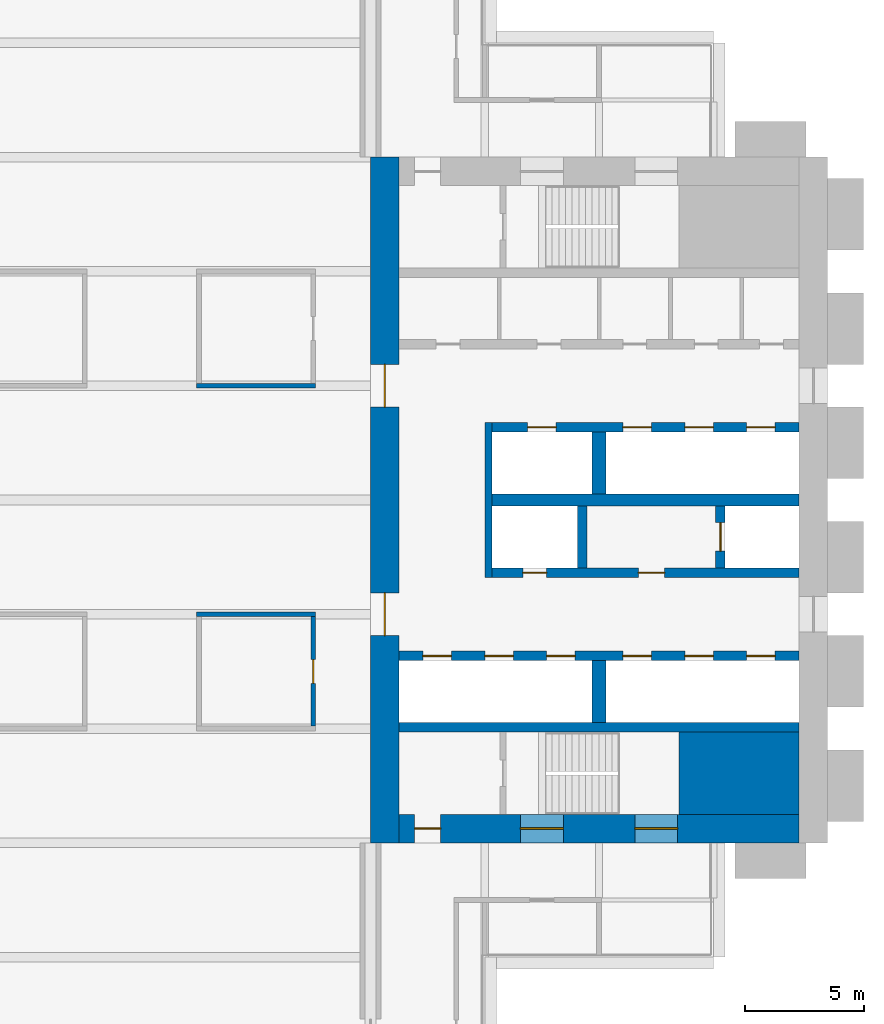
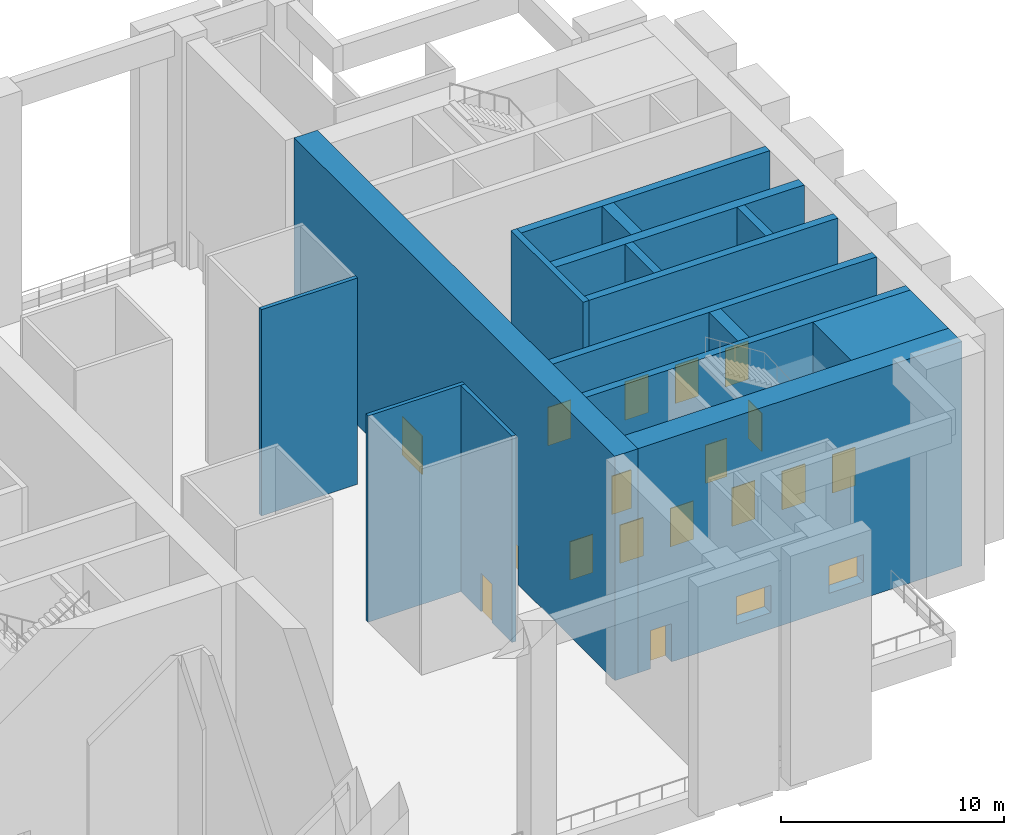
# One storey, part 4 of 10: 17 doors, 16 walls, 2 windows, 19 openings.
"""IFC4 building model written with IfcOpenShell, lengths in metres."""

from ifc_helpers import new_model, si_unit, direction, frame, frame_2d, origin, place, context, subcontext, project, spatial, rectangle, extrude, material, layer, layer_set, type_object, element, fill, save


model = new_model("IFC4")

# Units and contexts
model_context = context("Model", 3, precision=1e-05, world=origin(), true_north=direction((0.0, 1.0)))
body_context = subcontext(model_context, "Body", "Model", "MODEL_VIEW")
ifc_project = project(units=[si_unit("LENGTHUNIT", "METRE"), si_unit("AREAUNIT", "SQUARE_METRE"), si_unit("VOLUMEUNIT", "CUBIC_METRE"), si_unit("PLANEANGLEUNIT", "RADIAN"), si_unit("MASSUNIT", "GRAM", prefix="KILO")], contexts=[model_context])

# Site, building, storey
site_placement = place(None, origin())
site = spatial("IfcSite", under=ifc_project, at=site_placement, CompositionType="ELEMENT")
building_placement = place(site_placement, origin())
building = spatial("IfcBuilding", under=site, at=building_placement, Name="Baori Bourse Tower", CompositionType="ELEMENT")
storey_placement = place(building_placement, frame((0.0, 0.0, 91.5)))
storey = spatial("IfcBuildingStorey", under=building, at=storey_placement, Name="L20", CompositionType="ELEMENT", Elevation=91.5)

# Wall
ifc_material_1 = material(Name="Concrete f'c 70 MPa", Category="concrete")
wall_type_1 = type_object("IfcWallType", Name="Core corner block f'c 70", PredefinedType="SHEAR", material=ifc_material_1)
wall_1_placement = place(storey_placement, frame((51.35009765625, 12.52490234375, 0.0), z_axis=(0.0, 0.0, 1.0), x_axis=(1.0, 0.0, 0.0)))
element("IfcWall", 1, at=wall_1_placement, inside=storey, type_object=wall_type_1, Name="Core wall E04", PredefinedType="SHEAR", context=body_context, shape_type="SweptSolid", body=[
    extrude(rectangle(XDim=5.0498046875, YDim=3.449951171875, at=frame_2d((2.52490234375, 0.0))), origin(), (0.0, 0.0, 1.0), 12.300048828125),
])

# Wall, openings, door, windows
ifc_material_2 = material(Name="Concrete f'c 70 MPa", Category="concrete")
ifc_layer_1 = layer(ifc_material_2, 1.199951171875)
ifc_layer_set_1 = layer_set([ifc_layer_1], Name="Core wall 1200 f'c 70")
wall_type_2 = type_object("IfcWallType", Name="Core wall 1200 f'c 70", PredefinedType="SHEAR", material=ifc_layer_set_1)
wall_2_placement = place(storey_placement, frame((56.39990234375, 10.199951171875, 0.0), z_axis=(0.0, 0.0, 1.0), x_axis=(-1.0, 0.0, 0.0)))
wall_2 = element("IfcWall", 2, at=wall_2_placement, inside=storey, type_object=wall_type_2, Name="Core wall E02", PredefinedType="SHEAR", context=body_context, shape_type="SweptSolid", body=[
    extrude(rectangle(XDim=16.7998046875, YDim=1.199951171875, at=frame_2d((8.39990234375, 0.0))), origin(), (0.0, 0.0, 1.0), 12.300048828125),
])
opening_1_placement = place(wall_2_placement, frame((15.050048828125, 0.0, 0.0)))
opening_1 = element("IfcOpeningElement", 3, at=opening_1_placement, cuts=wall_2, Name="Opening L20-D202", PredefinedType="OPENING", context=body_context, shape_type="SweptSolid", body=[
    extrude(rectangle(XDim=1.10009765625, YDim=2.10009765625, at=frame_2d((0.550048828125, 1.050048828125))), frame((0.0, 0.60986328125, 0.0), z_axis=(0.0, -1.0, 0.0), x_axis=(1.0, 0.0, 0.0)), (0.0, 0.0, 1.0), 1.219970703125),
])
opening_2_placement = place(wall_2_placement, frame((5.10009765625, 0.0, 0.89990234375)))
opening_2 = element("IfcOpeningElement", 4, at=opening_2_placement, cuts=wall_2, Name="Opening L20-KW203", PredefinedType="OPENING", context=body_context, shape_type="SweptSolid", body=[
    extrude(rectangle(XDim=1.800048828125, YDim=1.5, at=frame_2d((0.89990234375, 0.75))), frame((0.0, 0.60986328125, 0.0), z_axis=(0.0, -1.0, 0.0), x_axis=(1.0, 0.0, 0.0)), (0.0, 0.0, 1.0), 1.219970703125),
])
opening_3_placement = place(wall_2_placement, frame((9.89990234375, 0.0, 0.89990234375)))
opening_3 = element("IfcOpeningElement", 5, at=opening_3_placement, cuts=wall_2, Name="Opening L20-KW204", PredefinedType="OPENING", context=body_context, shape_type="SweptSolid", body=[
    extrude(rectangle(XDim=1.800048828125, YDim=1.5, at=frame_2d((0.89990234375, 0.75))), frame((0.0, 0.60986328125, 0.0), z_axis=(0.0, -1.0, 0.0), x_axis=(1.0, 0.0, 0.0)), (0.0, 0.0, 1.0), 1.219970703125),
])
ifc_material_3 = material(Name="Painted steel door", Category="steel")
door_type_1 = type_object("IfcDoorType", Name="Stair door 1100", OperationType="SINGLE_SWING_LEFT", PredefinedType="DOOR", material=ifc_material_3)
door_1_placement = place(opening_1_placement, origin())
door_1 = element("IfcDoor", 6, at=door_1_placement, inside=storey, type_object=door_type_1, Name="Stair vestibule door A E L20", OperationType="SINGLE_SWING_LEFT", OverallHeight=2.10009765625, OverallWidth=1.10009765625, PredefinedType="DOOR", context=body_context, shape_type="SweptSolid", body=[
    extrude(rectangle(XDim=1.10009765625, YDim=2.10009765625, at=frame_2d((0.550048828125, 1.050048828125))), frame((0.0, 0.02490234375, 0.0), z_axis=(0.0, -1.0, 0.0), x_axis=(1.0, 0.0, 0.0)), (0.0, 0.0, 1.0), 0.050048828125),
])
fill(opening_1, door_1)
ifc_material_4 = material(Name="Pale anodised aluminium", Category="aluminium")
window_type = type_object("IfcWindowType", Name="Stair window 1800 x 1500", PartitioningType="SINGLE_PANEL", PredefinedType="WINDOW", material=ifc_material_4)
window_1_placement = place(opening_2_placement, origin())
window_1 = element("IfcWindow", 7, at=window_1_placement, inside=storey, type_object=window_type, Name="Stair window E L20 3", OverallHeight=1.5, OverallWidth=1.800048828125, PartitioningType="SINGLE_PANEL", PredefinedType="WINDOW", context=body_context, shape_type="SweptSolid", body=[
    extrude(rectangle(XDim=1.800048828125, YDim=1.5, at=frame_2d((0.89990234375, 0.75))), frame((0.0, 0.030029296875, 0.0), z_axis=(0.0, -1.0, 0.0), x_axis=(1.0, 0.0, 0.0)), (0.0, 0.0, 1.0), 0.06005859375),
])
fill(opening_2, window_1)
window_2_placement = place(opening_3_placement, origin())
window_2 = element("IfcWindow", 8, at=window_2_placement, inside=storey, type_object=window_type, Name="Stair window E L20 4", OverallHeight=1.5, OverallWidth=1.800048828125, PartitioningType="SINGLE_PANEL", PredefinedType="WINDOW", context=body_context, shape_type="SweptSolid", body=[
    extrude(rectangle(XDim=1.800048828125, YDim=1.5, at=frame_2d((0.89990234375, 0.75))), frame((0.0, 0.030029296875, 0.0), z_axis=(0.0, -1.0, 0.0), x_axis=(1.0, 0.0, 0.0)), (0.0, 0.0, 1.0), 0.06005859375),
])
fill(opening_3, window_2)

# Wall, openings, doors
wall_3_placement = place(storey_placement, frame((39.0, 9.60009765625, 0.0), z_axis=(0.0, 0.0, 1.0), x_axis=(0.0, 1.0, 0.0)))
wall_3 = element("IfcWall", 9, at=wall_3_placement, inside=storey, type_object=wall_type_2, Name="Core wall E03", PredefinedType="SHEAR", context=body_context, shape_type="SweptSolid", body=[
    extrude(rectangle(XDim=28.7998046875, YDim=1.199951171875, at=frame_2d((14.39990234375, 0.0))), origin(), (0.0, 0.0, 1.0), 12.300048828125),
])
opening_4_placement = place(wall_3_placement, frame((8.699951171875, 0.0, 0.0)))
opening_4 = element("IfcOpeningElement", 10, at=opening_4_placement, cuts=wall_3, Name="Opening L20-D207", PredefinedType="OPENING", context=body_context, shape_type="SweptSolid", body=[
    extrude(rectangle(XDim=1.800048828125, YDim=2.10009765625, at=frame_2d((0.89990234375, 1.050048828125))), frame((0.0, 0.60986328125, 0.0), z_axis=(0.0, -1.0, 0.0), x_axis=(1.0, 0.0, 0.0)), (0.0, 0.0, 1.0), 1.219970703125),
])
opening_5_placement = place(wall_3_placement, frame((18.300048828125, 0.0, 0.0)))
opening_5 = element("IfcOpeningElement", 11, at=opening_5_placement, cuts=wall_3, Name="Opening L20-D208", PredefinedType="OPENING", context=body_context, shape_type="SweptSolid", body=[
    extrude(rectangle(XDim=1.800048828125, YDim=2.10009765625, at=frame_2d((0.89990234375, 1.050048828125))), frame((0.0, 0.60986328125, 0.0), z_axis=(0.0, -1.0, 0.0), x_axis=(1.0, 0.0, 0.0)), (0.0, 0.0, 1.0), 1.219970703125),
])
ifc_material_5 = material(Name="Painted steel door", Category="steel")
door_type_2 = type_object("IfcDoorType", Name="Core lobby door 1800", OperationType="DOUBLE_DOOR_SINGLE_SWING", PredefinedType="DOOR", material=ifc_material_5)
door_2_placement = place(opening_4_placement, origin())
door_2 = element("IfcDoor", 12, at=door_2_placement, inside=storey, type_object=door_type_2, Name="Lobby door E L20", OperationType="DOUBLE_DOOR_SINGLE_SWING", OverallHeight=2.10009765625, OverallWidth=1.800048828125, PredefinedType="DOOR", context=body_context, shape_type="SweptSolid", body=[
    extrude(rectangle(XDim=1.800048828125, YDim=2.10009765625, at=frame_2d((0.89990234375, 1.050048828125))), frame((0.0, 0.02490234375, 0.0), z_axis=(0.0, -1.0, 0.0), x_axis=(1.0, 0.0, 0.0)), (0.0, 0.0, 1.0), 0.050048828125),
])
fill(opening_4, door_2)
door_3_placement = place(opening_5_placement, origin())
door_3 = element("IfcDoor", 13, at=door_3_placement, inside=storey, type_object=door_type_2, Name="Lobby door E L20", OperationType="DOUBLE_DOOR_SINGLE_SWING", OverallHeight=2.10009765625, OverallWidth=1.800048828125, PredefinedType="DOOR", context=body_context, shape_type="SweptSolid", body=[
    extrude(rectangle(XDim=1.800048828125, YDim=2.10009765625, at=frame_2d((0.89990234375, 1.050048828125))), frame((0.0, 0.02490234375, 0.0), z_axis=(0.0, -1.0, 0.0), x_axis=(1.0, 0.0, 0.0)), (0.0, 0.0, 1.0), 0.050048828125),
])
fill(opening_5, door_3)

# Walls
ifc_material_6 = material(Name="Gypsum board partition")
ifc_layer_2 = layer(ifc_material_6, 0.199951171875)
ifc_layer_set_2 = layer_set([ifc_layer_2], Name="Plant room wall 200")
wall_type_3 = type_object("IfcWallType", Name="Plant room wall 200", PredefinedType="PARTITIONING", material=ifc_layer_set_2)
for number, where, z_axis, x_axis, name in (
    (14, (31.10009765625, 19.199951171875, 0.0), (0.0, 0.0, 1.0), (1.0, 0.0, 0.0), "Partition"),
    (15, (31.10009765625, 28.800048828125, 0.0), (0.0, 0.0, 1.0), (1.0, 0.0, 0.0), "Partition"),
):
    element("IfcWall", number, at=place(storey_placement, frame(where, z_axis=z_axis, x_axis=x_axis)), inside=storey, type_object=wall_type_3, Name=name, PredefinedType="PARTITIONING", context=body_context, shape_type="SweptSolid", body=[
        extrude(rectangle(XDim=5.0, YDim=0.199951171875, at=frame_2d((2.5, 0.0))), origin(), (0.0, 0.0, 1.0), 11.309326171875),
    ])

# Wall, opening, door
wall_4_placement = place(storey_placement, frame((36.0, 14.5, 0.0), z_axis=(0.0, 0.0, 1.0), x_axis=(0.0, 1.0, 0.0)))
wall_4 = element("IfcWall", 16, at=wall_4_placement, inside=storey, type_object=wall_type_3, Name="Partition", PredefinedType="PARTITIONING", context=body_context, shape_type="SweptSolid", body=[
    extrude(rectangle(XDim=4.60009765625, YDim=0.199951171875, at=frame_2d((2.300048828125, 0.0))), origin(), (0.0, 0.0, 1.0), 11.309326171875),
])
opening_6_placement = place(wall_4_placement, frame((1.800048828125, 0.0, 0.0)))
opening_6 = element("IfcOpeningElement", 17, at=opening_6_placement, cuts=wall_4, Name="Opening L20-D09", PredefinedType="OPENING", context=body_context, shape_type="SweptSolid", body=[
    extrude(rectangle(XDim=1.0, YDim=2.10009765625, at=frame_2d((0.5, 1.050048828125))), frame((0.0, 0.10986328125, 0.0), z_axis=(0.0, -1.0, 0.0), x_axis=(1.0, 0.0, 0.0)), (0.0, 0.0, 1.0), 0.219970703125),
])
ifc_material_7 = material(Name="Timber door leaf", Category="wood")
door_type_3 = type_object("IfcDoorType", Name="Door 1000 x 2100", OperationType="SINGLE_SWING_LEFT", PredefinedType="DOOR", material=ifc_material_7)
door_4_placement = place(opening_6_placement, origin())
door_4 = element("IfcDoor", 18, at=door_4_placement, inside=storey, type_object=door_type_3, Name="Door", OperationType="SINGLE_SWING_RIGHT", OverallHeight=2.10009765625, OverallWidth=1.0, PredefinedType="DOOR", context=body_context, shape_type="SweptSolid", body=[
    extrude(rectangle(XDim=1.0, YDim=2.10009765625, at=frame_2d((0.5, 1.050048828125))), frame((0.0, 0.02490234375, 0.0), z_axis=(0.0, -1.0, 0.0), x_axis=(1.0, 0.0, 0.0)), (0.0, 0.0, 1.0), 0.050048828125),
])
fill(opening_6, door_4)

# Walls
ifc_material_8 = material(Name="Concrete f'c 70 MPa", Category="concrete")
ifc_layer_3 = layer(ifc_material_8, 0.300048828125)
ifc_layer_set_3 = layer_set([ifc_layer_3], Name="Shaft wall 300 f'c 70")
wall_type_4 = type_object("IfcWallType", Name="Shaft wall 300 f'c 70", PredefinedType="SHEAR", material=ifc_layer_set_3)
wall_5_placement = place(storey_placement, frame((43.35009765625, 20.75, 0.0), z_axis=(0.0, 0.0, 1.0), x_axis=(0.0, 1.0, 0.0)))
element("IfcWall", 19, at=wall_5_placement, inside=storey, type_object=wall_type_4, Name="Core wall E10", PredefinedType="SHEAR", context=body_context, shape_type="SweptSolid", body=[
    extrude(rectangle(XDim=6.5, YDim=0.300048828125, at=frame_2d((3.25, 0.0))), origin(), (0.0, 0.0, 1.0), 12.300048828125),
])
ifc_material_9 = material(Name="Concrete f'c 70 MPa", Category="concrete")
ifc_layer_4 = layer(ifc_material_9, 0.39990234375)
ifc_layer_set_4 = layer_set([ifc_layer_4], Name="Shaft wall 400 f'c 70")
wall_type_5 = type_object("IfcWallType", Name="Shaft wall 400 f'c 70", PredefinedType="SHEAR", material=ifc_layer_set_4)
wall_6_placement = place(storey_placement, frame((39.60009765625, 14.449951171875, 0.0), z_axis=(0.0, 0.0, 1.0), x_axis=(1.0, 0.0, 0.0)))
element("IfcWall", 20, at=wall_6_placement, inside=storey, type_object=wall_type_5, Name="Core wall E06", PredefinedType="SHEAR", context=body_context, shape_type="SweptSolid", body=[
    extrude(rectangle(XDim=16.7998046875, YDim=0.39990234375, at=frame_2d((8.39990234375, 0.0))), origin(), (0.0, 0.0, 1.0), 12.300048828125),
])

# Wall, openings, doors
wall_7_placement = place(storey_placement, frame((39.60009765625, 17.449951171875, 0.0), z_axis=(0.0, 0.0, 1.0), x_axis=(1.0, 0.0, 0.0)))
wall_7 = element("IfcWall", 21, at=wall_7_placement, inside=storey, type_object=wall_type_5, Name="Core wall E08", PredefinedType="SHEAR", context=body_context, shape_type="SweptSolid", body=[
    extrude(rectangle(XDim=16.7998046875, YDim=0.39990234375, at=frame_2d((8.39990234375, 0.0))), origin(), (0.0, 0.0, 1.0), 12.300048828125),
])
opening_7_placement = place(wall_7_placement, frame((14.60009765625, 0.0, 0.0)))
opening_7 = element("IfcOpeningElement", 22, at=opening_7_placement, cuts=wall_7, Name="Opening L20-D214", PredefinedType="OPENING", context=body_context, shape_type="SweptSolid", body=[
    extrude(rectangle(XDim=1.199951171875, YDim=2.10009765625, at=frame_2d((0.60009765625, 1.050048828125))), frame((0.0, 0.2099609375, 0.0), z_axis=(0.0, -1.0, 0.0), x_axis=(1.0, 0.0, 0.0)), (0.0, 0.0, 1.0), 0.419921875),
])
opening_8_placement = place(wall_7_placement, frame((12.0, 0.0, 0.0)))
opening_8 = element("IfcOpeningElement", 23, at=opening_8_placement, cuts=wall_7, Name="Opening L20-D215", PredefinedType="OPENING", context=body_context, shape_type="SweptSolid", body=[
    extrude(rectangle(XDim=1.199951171875, YDim=2.10009765625, at=frame_2d((0.60009765625, 1.050048828125))), frame((0.0, 0.2099609375, 0.0), z_axis=(0.0, -1.0, 0.0), x_axis=(1.0, 0.0, 0.0)), (0.0, 0.0, 1.0), 0.419921875),
])
opening_9_placement = place(wall_7_placement, frame((9.39990234375, 0.0, 0.0)))
opening_9 = element("IfcOpeningElement", 24, at=opening_9_placement, cuts=wall_7, Name="Opening L20-D216", PredefinedType="OPENING", context=body_context, shape_type="SweptSolid", body=[
    extrude(rectangle(XDim=1.199951171875, YDim=2.10009765625, at=frame_2d((0.60009765625, 1.050048828125))), frame((0.0, 0.2099609375, 0.0), z_axis=(0.0, -1.0, 0.0), x_axis=(1.0, 0.0, 0.0)), (0.0, 0.0, 1.0), 0.419921875),
])
opening_10_placement = place(wall_7_placement, frame((6.199951171875, 0.0, 0.0)))
opening_10 = element("IfcOpeningElement", 25, at=opening_10_placement, cuts=wall_7, Name="Opening L20-D217", PredefinedType="OPENING", context=body_context, shape_type="SweptSolid", body=[
    extrude(rectangle(XDim=1.199951171875, YDim=2.10009765625, at=frame_2d((0.60009765625, 1.050048828125))), frame((0.0, 0.2099609375, 0.0), z_axis=(0.0, -1.0, 0.0), x_axis=(1.0, 0.0, 0.0)), (0.0, 0.0, 1.0), 0.419921875),
])
opening_11_placement = place(wall_7_placement, frame((3.60009765625, 0.0, 0.0)))
opening_11 = element("IfcOpeningElement", 26, at=opening_11_placement, cuts=wall_7, Name="Opening L20-D218", PredefinedType="OPENING", context=body_context, shape_type="SweptSolid", body=[
    extrude(rectangle(XDim=1.199951171875, YDim=2.10009765625, at=frame_2d((0.60009765625, 1.050048828125))), frame((0.0, 0.2099609375, 0.0), z_axis=(0.0, -1.0, 0.0), x_axis=(1.0, 0.0, 0.0)), (0.0, 0.0, 1.0), 0.419921875),
])
opening_12_placement = place(wall_7_placement, frame((1.0, 0.0, 0.0)))
opening_12 = element("IfcOpeningElement", 27, at=opening_12_placement, cuts=wall_7, Name="Opening L20-D219", PredefinedType="OPENING", context=body_context, shape_type="SweptSolid", body=[
    extrude(rectangle(XDim=1.199951171875, YDim=2.10009765625, at=frame_2d((0.60009765625, 1.050048828125))), frame((0.0, 0.2099609375, 0.0), z_axis=(0.0, -1.0, 0.0), x_axis=(1.0, 0.0, 0.0)), (0.0, 0.0, 1.0), 0.419921875),
])
ifc_material_10 = material(Name="Stainless steel door", Category="steel")
door_type_4 = type_object("IfcDoorType", Name="Lift landing door", OperationType="DOUBLE_DOOR_SLIDING", PredefinedType="DOOR", material=ifc_material_10)
door_5_placement = place(opening_7_placement, origin())
door_5 = element("IfcDoor", 28, at=door_5_placement, inside=storey, type_object=door_type_4, Name="Lift landing door LR1 E L20", OperationType="DOUBLE_DOOR_SLIDING", OverallHeight=2.10009765625, OverallWidth=1.199951171875, PredefinedType="DOOR", context=body_context, shape_type="SweptSolid", body=[
    extrude(rectangle(XDim=1.199951171875, YDim=2.10009765625, at=frame_2d((0.60009765625, 1.050048828125))), frame((0.0, 0.02490234375, 0.0), z_axis=(0.0, -1.0, 0.0), x_axis=(1.0, 0.0, 0.0)), (0.0, 0.0, 1.0), 0.050048828125),
])
fill(opening_7, door_5)
door_6_placement = place(opening_8_placement, origin())
door_6 = element("IfcDoor", 29, at=door_6_placement, inside=storey, type_object=door_type_4, Name="Lift landing door LR2 E L20", OperationType="DOUBLE_DOOR_SLIDING", OverallHeight=2.10009765625, OverallWidth=1.199951171875, PredefinedType="DOOR", context=body_context, shape_type="SweptSolid", body=[
    extrude(rectangle(XDim=1.199951171875, YDim=2.10009765625, at=frame_2d((0.60009765625, 1.050048828125))), frame((0.0, 0.02490234375, 0.0), z_axis=(0.0, -1.0, 0.0), x_axis=(1.0, 0.0, 0.0)), (0.0, 0.0, 1.0), 0.050048828125),
])
fill(opening_8, door_6)
door_7_placement = place(opening_9_placement, origin())
door_7 = element("IfcDoor", 30, at=door_7_placement, inside=storey, type_object=door_type_4, Name="Lift landing door LR3 E L20", OperationType="DOUBLE_DOOR_SLIDING", OverallHeight=2.10009765625, OverallWidth=1.199951171875, PredefinedType="DOOR", context=body_context, shape_type="SweptSolid", body=[
    extrude(rectangle(XDim=1.199951171875, YDim=2.10009765625, at=frame_2d((0.60009765625, 1.050048828125))), frame((0.0, 0.02490234375, 0.0), z_axis=(0.0, -1.0, 0.0), x_axis=(1.0, 0.0, 0.0)), (0.0, 0.0, 1.0), 0.050048828125),
])
fill(opening_9, door_7)
door_8_placement = place(opening_10_placement, origin())
door_8 = element("IfcDoor", 31, at=door_8_placement, inside=storey, type_object=door_type_4, Name="Lift landing door LR4 E L20", OperationType="DOUBLE_DOOR_SLIDING", OverallHeight=2.10009765625, OverallWidth=1.199951171875, PredefinedType="DOOR", context=body_context, shape_type="SweptSolid", body=[
    extrude(rectangle(XDim=1.199951171875, YDim=2.10009765625, at=frame_2d((0.60009765625, 1.050048828125))), frame((0.0, 0.02490234375, 0.0), z_axis=(0.0, -1.0, 0.0), x_axis=(1.0, 0.0, 0.0)), (0.0, 0.0, 1.0), 0.050048828125),
])
fill(opening_10, door_8)
door_9_placement = place(opening_11_placement, origin())
door_9 = element("IfcDoor", 32, at=door_9_placement, inside=storey, type_object=door_type_4, Name="Lift landing door LR5 E L20", OperationType="DOUBLE_DOOR_SLIDING", OverallHeight=2.10009765625, OverallWidth=1.199951171875, PredefinedType="DOOR", context=body_context, shape_type="SweptSolid", body=[
    extrude(rectangle(XDim=1.199951171875, YDim=2.10009765625, at=frame_2d((0.60009765625, 1.050048828125))), frame((0.0, 0.02490234375, 0.0), z_axis=(0.0, -1.0, 0.0), x_axis=(1.0, 0.0, 0.0)), (0.0, 0.0, 1.0), 0.050048828125),
])
fill(opening_11, door_9)
door_10_placement = place(opening_12_placement, origin())
door_10 = element("IfcDoor", 33, at=door_10_placement, inside=storey, type_object=door_type_4, Name="Lift landing door LR6 E L20", OperationType="DOUBLE_DOOR_SLIDING", OverallHeight=2.10009765625, OverallWidth=1.199951171875, PredefinedType="DOOR", context=body_context, shape_type="SweptSolid", body=[
    extrude(rectangle(XDim=1.199951171875, YDim=2.10009765625, at=frame_2d((0.60009765625, 1.050048828125))), frame((0.0, 0.02490234375, 0.0), z_axis=(0.0, -1.0, 0.0), x_axis=(1.0, 0.0, 0.0)), (0.0, 0.0, 1.0), 0.050048828125),
])
fill(opening_12, door_10)

wall_8_placement = place(storey_placement, frame((43.5, 20.949951171875, 0.0), z_axis=(0.0, 0.0, 1.0), x_axis=(1.0, 0.0, 0.0)))
wall_8 = element("IfcWall", 34, at=wall_8_placement, inside=storey, type_object=wall_type_5, Name="Core wall E09", PredefinedType="SHEAR", context=body_context, shape_type="SweptSolid", body=[
    extrude(rectangle(XDim=12.89990234375, YDim=0.39990234375, at=frame_2d((6.449951171875, 0.0))), origin(), (0.0, 0.0, 1.0), 12.300048828125),
])
opening_13_placement = place(wall_8_placement, frame((6.14990234375, 0.0, 0.0)))
opening_13 = element("IfcOpeningElement", 35, at=opening_13_placement, cuts=wall_8, Name="Opening L20-D205", PredefinedType="OPENING", context=body_context, shape_type="SweptSolid", body=[
    extrude(rectangle(XDim=1.10009765625, YDim=2.10009765625, at=frame_2d((0.550048828125, 1.050048828125))), frame((0.0, 0.2099609375, 0.0), z_axis=(0.0, -1.0, 0.0), x_axis=(1.0, 0.0, 0.0)), (0.0, 0.0, 1.0), 0.419921875),
])
opening_14_placement = place(wall_8_placement, frame((1.300048828125, 0.0, 0.0)))
opening_14 = element("IfcOpeningElement", 36, at=opening_14_placement, cuts=wall_8, Name="Opening L20-D206", PredefinedType="OPENING", context=body_context, shape_type="SweptSolid", body=[
    extrude(rectangle(XDim=1.0, YDim=2.10009765625, at=frame_2d((0.5, 1.050048828125))), frame((0.0, 0.2099609375, 0.0), z_axis=(0.0, -1.0, 0.0), x_axis=(1.0, 0.0, 0.0)), (0.0, 0.0, 1.0), 0.419921875),
])
ifc_material_11 = material(Name="Painted steel door", Category="steel")
door_type_5 = type_object("IfcDoorType", Name="Lobby door 1100", OperationType="SINGLE_SWING_LEFT", PredefinedType="DOOR", material=ifc_material_11)
door_11_placement = place(opening_13_placement, origin())
door_11 = element("IfcDoor", 37, at=door_11_placement, inside=storey, type_object=door_type_5, Name="Firefighting lobby door E L20", OperationType="SINGLE_SWING_LEFT", OverallHeight=2.10009765625, OverallWidth=1.10009765625, PredefinedType="DOOR", context=body_context, shape_type="SweptSolid", body=[
    extrude(rectangle(XDim=1.10009765625, YDim=2.10009765625, at=frame_2d((0.550048828125, 1.050048828125))), frame((0.0, 0.02490234375, 0.0), z_axis=(0.0, -1.0, 0.0), x_axis=(1.0, 0.0, 0.0)), (0.0, 0.0, 1.0), 0.050048828125),
])
fill(opening_13, door_11)
ifc_material_12 = material(Name="Painted steel door", Category="steel")
door_type_6 = type_object("IfcDoorType", Name="Shaft door 1000", OperationType="SINGLE_SWING_LEFT", PredefinedType="DOOR", material=ifc_material_12)
door_12_placement = place(opening_14_placement, origin())
door_12 = element("IfcDoor", 38, at=door_12_placement, inside=storey, type_object=door_type_6, Name="Riser room door E L20", OperationType="SINGLE_SWING_LEFT", OverallHeight=2.10009765625, OverallWidth=1.0, PredefinedType="DOOR", context=body_context, shape_type="SweptSolid", body=[
    extrude(rectangle(XDim=1.0, YDim=2.10009765625, at=frame_2d((0.5, 1.050048828125))), frame((0.0, 0.02490234375, 0.0), z_axis=(0.0, -1.0, 0.0), x_axis=(1.0, 0.0, 0.0)), (0.0, 0.0, 1.0), 0.050048828125),
])
fill(opening_14, door_12)

# Wall, opening, door
wall_9_placement = place(storey_placement, frame((53.10009765625, 21.14990234375, 0.0), z_axis=(0.0, 0.0, 1.0), x_axis=(0.0, 1.0, 0.0)))
wall_9 = element("IfcWall", 39, at=wall_9_placement, inside=storey, type_object=wall_type_5, Name="Core wall E11", PredefinedType="SHEAR", context=body_context, shape_type="SweptSolid", body=[
    extrude(rectangle(XDim=2.60009765625, YDim=0.39990234375, at=frame_2d((1.300048828125, 0.0))), origin(), (0.0, 0.0, 1.0), 12.300048828125),
])
opening_15_placement = place(wall_9_placement, frame((0.699951171875, 0.0, 0.0)))
opening_15 = element("IfcOpeningElement", 40, at=opening_15_placement, cuts=wall_9, Name="Opening L20-D224", PredefinedType="OPENING", context=body_context, shape_type="SweptSolid", body=[
    extrude(rectangle(XDim=1.199951171875, YDim=2.10009765625, at=frame_2d((0.60009765625, 1.050048828125))), frame((0.0, 0.2099609375, 0.0), z_axis=(0.0, -1.0, 0.0), x_axis=(1.0, 0.0, 0.0)), (0.0, 0.0, 1.0), 0.419921875),
])
door_13_placement = place(opening_15_placement, origin())
door_13 = element("IfcDoor", 41, at=door_13_placement, inside=storey, type_object=door_type_4, Name="Lift landing door FF2 E L20", OperationType="DOUBLE_DOOR_SLIDING", OverallHeight=2.10009765625, OverallWidth=1.199951171875, PredefinedType="DOOR", context=body_context, shape_type="SweptSolid", body=[
    extrude(rectangle(XDim=1.199951171875, YDim=2.10009765625, at=frame_2d((0.60009765625, 1.050048828125))), frame((0.0, 0.02490234375, 0.0), z_axis=(0.0, -1.0, 0.0), x_axis=(1.0, 0.0, 0.0)), (0.0, 0.0, 1.0), 0.050048828125),
])
fill(opening_15, door_13)

# Wall
wall_10_placement = place(storey_placement, frame((47.300048828125, 21.14990234375, 0.0), z_axis=(0.0, 0.0, 1.0), x_axis=(0.0, 1.0, 0.0)))
element("IfcWall", 42, at=wall_10_placement, inside=storey, type_object=wall_type_5, Name="Core wall E12", PredefinedType="SHEAR", context=body_context, shape_type="SweptSolid", body=[
    extrude(rectangle(XDim=2.60009765625, YDim=0.39990234375, at=frame_2d((1.300048828125, 0.0))), origin(), (0.0, 0.0, 1.0), 12.300048828125),
])

# Wall, openings, doors
wall_11_placement = place(storey_placement, frame((43.5, 27.050048828125, 0.0), z_axis=(0.0, 0.0, 1.0), x_axis=(1.0, 0.0, 0.0)))
wall_11 = element("IfcWall", 43, at=wall_11_placement, inside=storey, type_object=wall_type_5, Name="Core wall E15", PredefinedType="SHEAR", context=body_context, shape_type="SweptSolid", body=[
    extrude(rectangle(XDim=12.89990234375, YDim=0.39990234375, at=frame_2d((6.449951171875, 0.0))), origin(), (0.0, 0.0, 1.0), 12.300048828125),
])
opening_16_placement = place(wall_11_placement, frame((10.699951171875, 0.0, 0.0)))
opening_16 = element("IfcOpeningElement", 44, at=opening_16_placement, cuts=wall_11, Name="Opening L20-D220", PredefinedType="OPENING", context=body_context, shape_type="SweptSolid", body=[
    extrude(rectangle(XDim=1.199951171875, YDim=2.10009765625, at=frame_2d((0.60009765625, 1.050048828125))), frame((0.0, 0.2099609375, 0.0), z_axis=(0.0, -1.0, 0.0), x_axis=(1.0, 0.0, 0.0)), (0.0, 0.0, 1.0), 0.419921875),
])
opening_17_placement = place(wall_11_placement, frame((8.10009765625, 0.0, 0.0)))
opening_17 = element("IfcOpeningElement", 45, at=opening_17_placement, cuts=wall_11, Name="Opening L20-D221", PredefinedType="OPENING", context=body_context, shape_type="SweptSolid", body=[
    extrude(rectangle(XDim=1.199951171875, YDim=2.10009765625, at=frame_2d((0.60009765625, 1.050048828125))), frame((0.0, 0.2099609375, 0.0), z_axis=(0.0, -1.0, 0.0), x_axis=(1.0, 0.0, 0.0)), (0.0, 0.0, 1.0), 0.419921875),
])
opening_18_placement = place(wall_11_placement, frame((5.5, 0.0, 0.0)))
opening_18 = element("IfcOpeningElement", 46, at=opening_18_placement, cuts=wall_11, Name="Opening L20-D222", PredefinedType="OPENING", context=body_context, shape_type="SweptSolid", body=[
    extrude(rectangle(XDim=1.199951171875, YDim=2.10009765625, at=frame_2d((0.60009765625, 1.050048828125))), frame((0.0, 0.2099609375, 0.0), z_axis=(0.0, -1.0, 0.0), x_axis=(1.0, 0.0, 0.0)), (0.0, 0.0, 1.0), 0.419921875),
])
opening_19_placement = place(wall_11_placement, frame((1.5, 0.0, 0.0)))
opening_19 = element("IfcOpeningElement", 47, at=opening_19_placement, cuts=wall_11, Name="Opening L20-D223", PredefinedType="OPENING", context=body_context, shape_type="SweptSolid", body=[
    extrude(rectangle(XDim=1.199951171875, YDim=2.10009765625, at=frame_2d((0.60009765625, 1.050048828125))), frame((0.0, 0.2099609375, 0.0), z_axis=(0.0, -1.0, 0.0), x_axis=(1.0, 0.0, 0.0)), (0.0, 0.0, 1.0), 0.419921875),
])
door_14_placement = place(opening_16_placement, origin())
door_14 = element("IfcDoor", 48, at=door_14_placement, inside=storey, type_object=door_type_4, Name="Lift landing door SH1 E L20", OperationType="DOUBLE_DOOR_SLIDING", OverallHeight=2.10009765625, OverallWidth=1.199951171875, PredefinedType="DOOR", context=body_context, shape_type="SweptSolid", body=[
    extrude(rectangle(XDim=1.199951171875, YDim=2.10009765625, at=frame_2d((0.60009765625, 1.050048828125))), frame((0.0, 0.02490234375, 0.0), z_axis=(0.0, -1.0, 0.0), x_axis=(1.0, 0.0, 0.0)), (0.0, 0.0, 1.0), 0.050048828125),
])
fill(opening_16, door_14)
door_15_placement = place(opening_17_placement, origin())
door_15 = element("IfcDoor", 49, at=door_15_placement, inside=storey, type_object=door_type_4, Name="Lift landing door SH2 E L20", OperationType="DOUBLE_DOOR_SLIDING", OverallHeight=2.10009765625, OverallWidth=1.199951171875, PredefinedType="DOOR", context=body_context, shape_type="SweptSolid", body=[
    extrude(rectangle(XDim=1.199951171875, YDim=2.10009765625, at=frame_2d((0.60009765625, 1.050048828125))), frame((0.0, 0.02490234375, 0.0), z_axis=(0.0, -1.0, 0.0), x_axis=(1.0, 0.0, 0.0)), (0.0, 0.0, 1.0), 0.050048828125),
])
fill(opening_17, door_15)
door_16_placement = place(opening_18_placement, origin())
door_16 = element("IfcDoor", 50, at=door_16_placement, inside=storey, type_object=door_type_4, Name="Lift landing door SH3 E L20", OperationType="DOUBLE_DOOR_SLIDING", OverallHeight=2.10009765625, OverallWidth=1.199951171875, PredefinedType="DOOR", context=body_context, shape_type="SweptSolid", body=[
    extrude(rectangle(XDim=1.199951171875, YDim=2.10009765625, at=frame_2d((0.60009765625, 1.050048828125))), frame((0.0, 0.02490234375, 0.0), z_axis=(0.0, -1.0, 0.0), x_axis=(1.0, 0.0, 0.0)), (0.0, 0.0, 1.0), 0.050048828125),
])
fill(opening_18, door_16)
door_17_placement = place(opening_19_placement, origin())
door_17 = element("IfcDoor", 51, at=door_17_placement, inside=storey, type_object=door_type_4, Name="Lift landing door SV1 E L20", OperationType="DOUBLE_DOOR_SLIDING", OverallHeight=2.10009765625, OverallWidth=1.199951171875, PredefinedType="DOOR", context=body_context, shape_type="SweptSolid", body=[
    extrude(rectangle(XDim=1.199951171875, YDim=2.10009765625, at=frame_2d((0.60009765625, 1.050048828125))), frame((0.0, 0.02490234375, 0.0), z_axis=(0.0, -1.0, 0.0), x_axis=(1.0, 0.0, 0.0)), (0.0, 0.0, 1.0), 0.050048828125),
])
fill(opening_19, door_17)

# Walls
ifc_material_13 = material(Name="Concrete f'c 70 MPa", Category="concrete")
ifc_layer_5 = layer(ifc_material_13, 0.5)
ifc_layer_set_5 = layer_set([ifc_layer_5], Name="Shaft wall 500 f'c 70")
wall_type_6 = type_object("IfcWallType", Name="Shaft wall 500 f'c 70", PredefinedType="SHEAR", material=ifc_layer_set_5)
wall_12_placement = place(storey_placement, frame((43.5, 24.0, 0.0), z_axis=(0.0, 0.0, 1.0), x_axis=(1.0, 0.0, 0.0)))
element("IfcWall", 52, at=wall_12_placement, inside=storey, type_object=wall_type_6, Name="Core wall E13", PredefinedType="SHEAR", context=body_context, shape_type="SweptSolid", body=[
    extrude(rectangle(XDim=12.89990234375, YDim=0.5, at=frame_2d((6.449951171875, 0.0))), origin(), (0.0, 0.0, 1.0), 12.300048828125),
])
ifc_material_14 = material(Name="Concrete f'c 70 MPa", Category="concrete")
ifc_layer_6 = layer(ifc_material_14, 0.60009765625)
ifc_layer_set_6 = layer_set([ifc_layer_6], Name="Shaft wall 600 f'c 70")
wall_type_7 = type_object("IfcWallType", Name="Shaft wall 600 f'c 70", PredefinedType="SHEAR", material=ifc_layer_set_6)
for number, where, z_axis, x_axis, name in (
    (53, (48.0, 14.64990234375, 0.0), (0.0, 0.0, 1.0), (0.0, 1.0, 0.0), "Core wall E07"),
    (54, (48.0, 24.25, 0.0), (0.0, 0.0, 1.0), (0.0, 1.0, 0.0), "Core wall E14"),
):
    element("IfcWall", number, at=place(storey_placement, frame(where, z_axis=z_axis, x_axis=x_axis)), inside=storey, type_object=wall_type_7, Name=name, PredefinedType="SHEAR", context=body_context, shape_type="SweptSolid", body=[
        extrude(rectangle(XDim=2.60009765625, YDim=0.60009765625, at=frame_2d((1.300048828125, 0.0))), origin(), (0.0, 0.0, 1.0), 12.300048828125),
    ])

save(model, "model.ifc")
